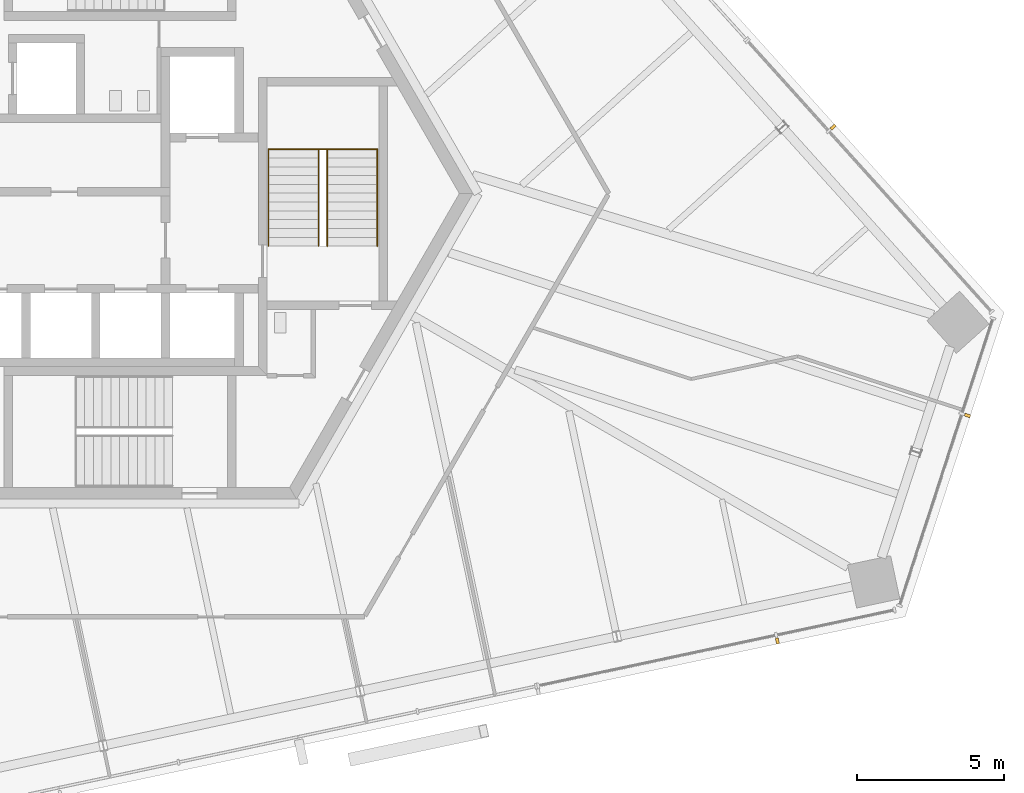
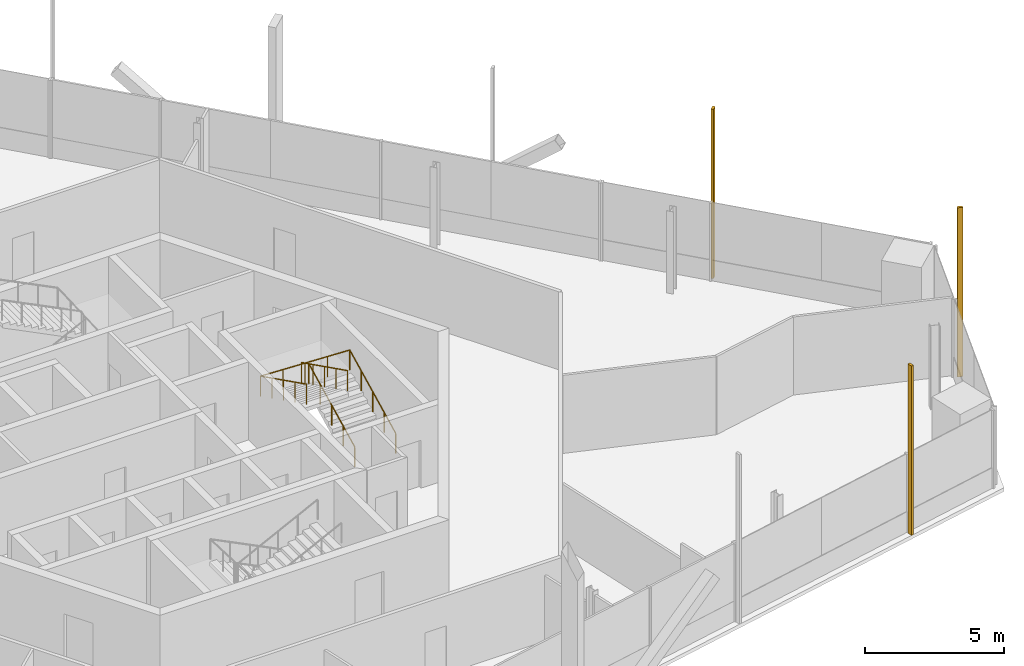
# One storey, part 15 of 17: 3 shading devices, 2 railings.
"""IFC4 building model written with IfcOpenShell, lengths in metres."""

from ifc_helpers import new_model, si_unit, direction, frame, origin, origin_2d, place, context, subcontext, project, spatial, rectangle, circle, extrude, source, transform, mapped, material, type_object, element, save


model = new_model("IFC4")

# Units and contexts
model_context = context("Model", 3, precision=1e-05, world=origin(), true_north=direction((0.0, 1.0)))
body_context = subcontext(model_context, "Body", "Model", "MODEL_VIEW")
ifc_project = project(units=[si_unit("LENGTHUNIT", "METRE"), si_unit("AREAUNIT", "SQUARE_METRE"), si_unit("VOLUMEUNIT", "CUBIC_METRE"), si_unit("PLANEANGLEUNIT", "RADIAN"), si_unit("MASSUNIT", "GRAM", prefix="KILO")], contexts=[model_context])

# Site, building, storey
site_placement = place(None, origin())
site = spatial("IfcSite", under=ifc_project, at=site_placement, CompositionType="ELEMENT")
building_placement = place(site_placement, origin())
building = spatial("IfcBuilding", under=site, at=building_placement, Name="Triune Harvest Tower", CompositionType="ELEMENT")
storey_placement = place(building_placement, frame((0.0, 0.0, 281.10009765625)))
storey = spatial("IfcBuildingStorey", under=building, at=storey_placement, Name="L74", CompositionType="ELEMENT", Elevation=281.10009765625)

# Railings
ifc_material_1 = material(Name="Stainless steel AISI 316", Category="steel")
railing_type = type_object("IfcRailingType", Name="Stair handrail", PredefinedType="HANDRAIL", material=ifc_material_1)
shared_shape_1 = source(origin(), body_context, "Body", "SweptSolid", [
    extrude(circle(Radius=0.02392578125, at=origin_2d()), frame((0.0, 0.0, 0.8759765625), z_axis=(0.0, 0.894440424912, 0.447187126696), x_axis=(-1.0, 0.0, 0.0)), (0.0, 0.0, 1.0), 3.689453125),
    extrude(circle(Radius=0.02392578125, at=origin_2d()), frame((0.0, 3.300048828125, 2.52587890625), z_axis=(-0.999177620331, 0.0, 0.040547293732), x_axis=(0.0, -1.0, 0.0)), (0.0, 0.0, 1.0), 3.702880859375),
    extrude(circle(Radius=0.02392578125, at=origin_2d()), frame((-3.699951171875, 3.300048828125, 2.67578125), z_axis=(0.0, -0.894440424912, 0.447187126696), x_axis=(1.0, 0.0, 0.0)), (0.0, 0.0, 1.0), 3.689453125),
    extrude(circle(Radius=0.02099609375, at=origin_2d()), origin(), (0.0, 0.0, 1.0), 0.851806640625),
    extrude(circle(Radius=0.02099609375, at=origin_2d()), frame((0.0, 0.824951171875, 0.41259765625)), (0.0, 0.0, 1.0), 0.851806640625),
    extrude(circle(Radius=0.02099609375, at=origin_2d()), frame((0.0, 1.64990234375, 0.824951171875)), (0.0, 0.0, 1.0), 0.851806640625),
    extrude(circle(Radius=0.02099609375, at=origin_2d()), frame((0.0, 2.47509765625, 1.2373046875)), (0.0, 0.0, 1.0), 0.851806640625),
    extrude(circle(Radius=0.02099609375, at=origin_2d()), frame((0.0, 3.300048828125, 1.64990234375)), (0.0, 0.0, 1.0), 0.851806640625),
    extrude(circle(Radius=0.02099609375, at=origin_2d()), frame((-0.925048828125, 3.300048828125, 1.6875)), (0.0, 0.0, 1.0), 0.851806640625),
    extrude(circle(Radius=0.02099609375, at=origin_2d()), frame((-1.85009765625, 3.300048828125, 1.72509765625)), (0.0, 0.0, 1.0), 0.851806640625),
    extrude(circle(Radius=0.02099609375, at=origin_2d()), frame((-2.77490234375, 3.300048828125, 1.762451171875)), (0.0, 0.0, 1.0), 0.851806640625),
    extrude(circle(Radius=0.02099609375, at=origin_2d()), frame((-3.699951171875, 3.300048828125, 1.800048828125)), (0.0, 0.0, 1.0), 0.851806640625),
    extrude(circle(Radius=0.02099609375, at=origin_2d()), frame((-3.699951171875, 2.47509765625, 2.21240234375)), (0.0, 0.0, 1.0), 0.851806640625),
    extrude(circle(Radius=0.02099609375, at=origin_2d()), frame((-3.699951171875, 1.64990234375, 2.625)), (0.0, 0.0, 1.0), 0.851806640625),
    extrude(circle(Radius=0.02099609375, at=origin_2d()), frame((-3.699951171875, 0.824951171875, 3.03759765625)), (0.0, 0.0, 1.0), 0.851806640625),
    extrude(circle(Radius=0.02099609375, at=origin_2d()), frame((-3.699951171875, 0.0, 3.449951171875)), (0.0, 0.0, 1.0), 0.851806640625),
])
railing_1_placement = place(storey_placement, frame((8.75, -1.7900390625, 0.14990234375)))
element("IfcRailing", 1, at=railing_1_placement, inside=storey, type_object=railing_type, Name="Exit stair east wall handrail", PredefinedType="HANDRAIL", context=body_context, shape_type="MappedRepresentation", body=[
    mapped(shared_shape_1, transform((0.0, 0.0, 0.0), scale=1.0)),
])
shared_shape_2 = source(origin(), body_context, "Body", "SweptSolid", [
    extrude(circle(Radius=0.02392578125, at=origin_2d()), frame((0.0, 0.0, 0.8759765625), z_axis=(0.0, 0.894440424912, 0.447187126696), x_axis=(-1.0, 0.0, 0.0)), (0.0, 0.0, 1.0), 3.689453125),
    extrude(circle(Radius=0.02392578125, at=origin_2d()), frame((0.0, 3.300048828125, 2.52587890625), z_axis=(-0.894281613681, 0.0, 0.447504631744), x_axis=(0.0, -1.0, 0.0)), (0.0, 0.0, 1.0), 0.33544921875),
    extrude(circle(Radius=0.02392578125, at=origin_2d()), frame((-0.300048828125, 3.300048828125, 2.67578125), z_axis=(0.0, -0.894440424912, 0.447187126696), x_axis=(1.0, 0.0, 0.0)), (0.0, 0.0, 1.0), 3.689453125),
    extrude(circle(Radius=0.02099609375, at=origin_2d()), origin(), (0.0, 0.0, 1.0), 0.851806640625),
    extrude(circle(Radius=0.02099609375, at=origin_2d()), frame((0.0, 0.824951171875, 0.41259765625)), (0.0, 0.0, 1.0), 0.851806640625),
    extrude(circle(Radius=0.02099609375, at=origin_2d()), frame((0.0, 1.64990234375, 0.824951171875)), (0.0, 0.0, 1.0), 0.851806640625),
    extrude(circle(Radius=0.02099609375, at=origin_2d()), frame((0.0, 2.47509765625, 1.2373046875)), (0.0, 0.0, 1.0), 0.851806640625),
    extrude(circle(Radius=0.02099609375, at=origin_2d()), frame((0.0, 3.300048828125, 1.64990234375)), (0.0, 0.0, 1.0), 0.851806640625),
    extrude(circle(Radius=0.02099609375, at=origin_2d()), frame((-0.300048828125, 3.300048828125, 1.800048828125)), (0.0, 0.0, 1.0), 0.851806640625),
    extrude(circle(Radius=0.02099609375, at=origin_2d()), frame((-0.300048828125, 2.47509765625, 2.21240234375)), (0.0, 0.0, 1.0), 0.851806640625),
    extrude(circle(Radius=0.02099609375, at=origin_2d()), frame((-0.300048828125, 1.64990234375, 2.625)), (0.0, 0.0, 1.0), 0.851806640625),
    extrude(circle(Radius=0.02099609375, at=origin_2d()), frame((-0.300048828125, 0.824951171875, 3.03759765625)), (0.0, 0.0, 1.0), 0.851806640625),
    extrude(circle(Radius=0.02099609375, at=origin_2d()), frame((-0.300048828125, 0.0, 3.449951171875)), (0.0, 0.0, 1.0), 0.851806640625),
])
railing_2_placement = place(storey_placement, frame((7.050048828125, -1.7900390625, 0.14990234375)))
element("IfcRailing", 2, at=railing_2_placement, inside=storey, type_object=railing_type, Name="Exit stair east centre handrail", PredefinedType="HANDRAIL", context=body_context, shape_type="MappedRepresentation", body=[
    mapped(shared_shape_2, transform((0.0, 0.0, 0.0), scale=1.0)),
])

# Shading devices
ifc_material_2 = material(Name="Aluminium bronze anodised", Category="aluminium")
shared_shape_3 = source(origin(), body_context, "Body", "SweptSolid", [
    extrude(rectangle(XDim=0.10009765625, YDim=0.199951171875, at=origin_2d()), origin(), (0.0, 0.0, 1.0), 7.419921875),
])
for number, where, z_axis, x_axis, name in (
    (3, (24.246337890625, 2.2587890625, 0.0), (0.0, 0.0, 1.0), (-0.669131447108, 0.743144068463, 0.0), "FN-1 fin B7-F1.3 L74"),
    (4, (22.352783203125, -15.215087890625, 0.0), (0.0, 0.0, 1.0), (0.978147751834, 0.207910979944, 0.0), "FN-1 fin B7-F5.11 L74"),
    (5, (28.815185546875, -7.548095703125, 0.0), (0.0, 0.0, 1.0), (0.309018882717, 0.951055902733, 0.0), "FN-1 fin B7-F6.3 L74"),
):
    element("IfcShadingDevice", number, at=place(storey_placement, frame(where, z_axis=z_axis, x_axis=x_axis)), inside=storey, material=ifc_material_2, Name=name, ObjectType="FIN", PredefinedType="USERDEFINED", context=body_context, shape_type="MappedRepresentation", body=[
        mapped(shared_shape_3, transform((0.0, 0.0, 0.0), scale=1.0)),
    ])

save(model, "model.ifc")
